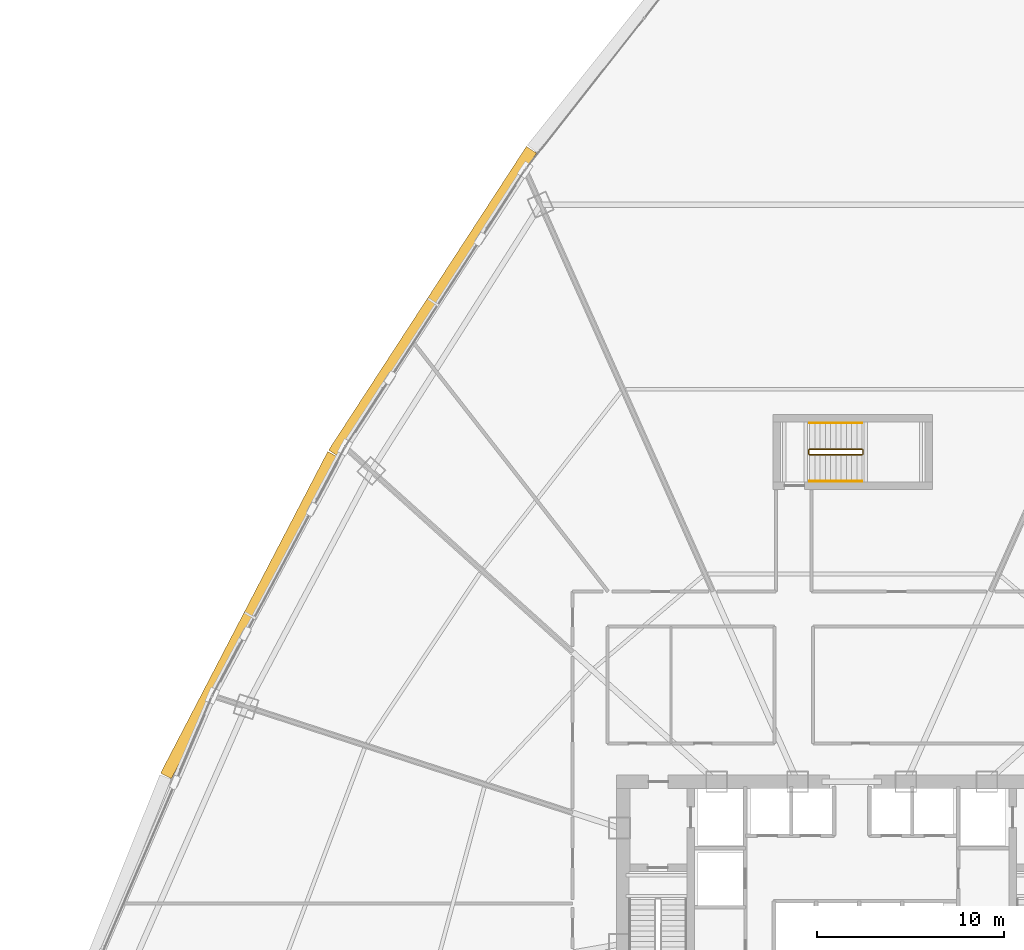
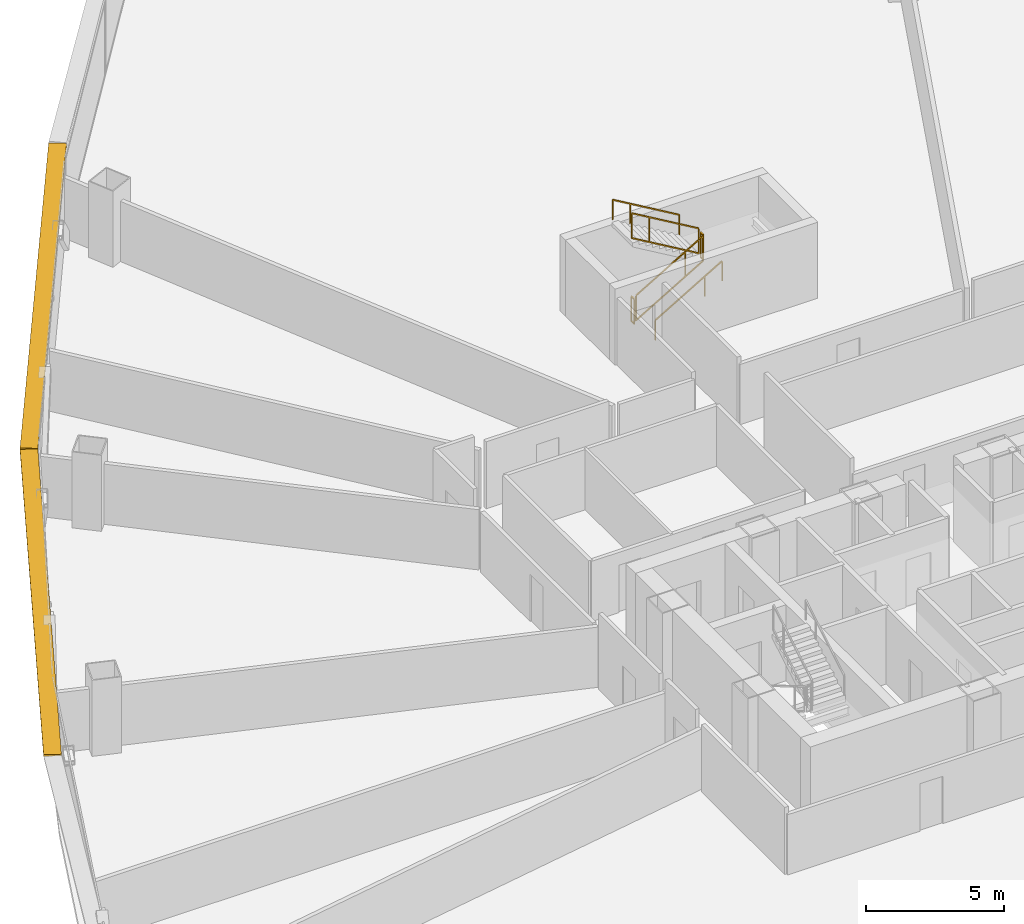
# One storey, part 37 of 38: 6 railings, 2 shading devices.
"""IFC4 building model written with IfcOpenShell, lengths in metres."""

from ifc_helpers import new_model, si_unit, direction, frame, origin, origin_2d, place, context, subcontext, project, spatial, rectangle, extrude, source, transform, mapped, material, layer, layer_set, type_object, element, save


model = new_model("IFC4")

# Units and contexts
model_context = context("Model", 3, precision=1e-05, world=origin(), true_north=direction((0.0, 1.0)))
body_context = subcontext(model_context, "Body", "Model", "MODEL_VIEW")
ifc_project = project(units=[si_unit("LENGTHUNIT", "METRE"), si_unit("AREAUNIT", "SQUARE_METRE"), si_unit("VOLUMEUNIT", "CUBIC_METRE"), si_unit("PLANEANGLEUNIT", "RADIAN"), si_unit("MASSUNIT", "GRAM", prefix="KILO"), si_unit("THERMODYNAMICTEMPERATUREUNIT", "KELVIN"), si_unit("POWERUNIT", "WATT")], contexts=[model_context])

# Site, building, storey
site_placement = place(None, origin())
site = spatial("IfcSite", under=ifc_project, at=site_placement, CompositionType="ELEMENT")
building_placement = place(site_placement, origin())
building = spatial("IfcBuilding", under=site, at=building_placement, Name="Yunzhuo Pagoda Commons", CompositionType="ELEMENT")
storey_placement = place(building_placement, frame((0.0, 0.0, 34.030029296875)))
storey = spatial("IfcBuildingStorey", under=building, at=storey_placement, Name="L08", CompositionType="ELEMENT", Elevation=34.030029296875)

# Railings
ifc_material = material(Name="Anodized aluminium 6063-T6", Category="aluminium")
railing_type_1 = type_object("IfcRailingType", Name="GR-ST3 North Well Guardrail 1155", PredefinedType="GUARDRAIL", material=ifc_material)
railing_1_placement = place(storey_placement, frame((45.75, 57.64990234375, 0.1650390625)))
element("IfcRailing", 1, at=railing_1_placement, inside=storey, type_object=railing_type_1, Name="L08 ST3 stair guard 1", PredefinedType="GUARDRAIL", context=body_context, shape_type="SweptSolid", body=[
    extrude(rectangle(XDim=0.048095703125, YDim=0.048095703125, at=origin_2d()), frame((0.0, 0.0, 1.1259765625), z_axis=(0.861555476484, 0.0, 0.507663432739), x_axis=(0.0, 1.0, 0.0)), (0.0, 0.0, 1.0), 3.25),
    extrude(rectangle(XDim=0.048095703125, YDim=0.048095703125, at=origin_2d()), frame((0.0, 0.0, 0.02392578125), z_axis=(0.861555476484, 0.0, 0.507663432739), x_axis=(0.0, 1.0, 0.0)), (0.0, 0.0, 1.0), 3.25),
    extrude(rectangle(XDim=0.0419921875, YDim=0.0419921875, at=origin_2d()), origin(), (0.0, 0.0, 1.0), 1.101806640625),
    extrude(rectangle(XDim=0.0419921875, YDim=0.0419921875, at=origin_2d()), frame((2.067626953125, 0.0, 1.218505859375)), (0.0, 0.0, 1.0), 1.101806640625),
    extrude(rectangle(XDim=0.0419921875, YDim=0.0419921875, at=origin_2d()), frame((2.800048828125, 0.0, 1.64990234375)), (0.0, 0.0, 1.0), 1.101806640625),
])
railing_2_placement = place(storey_placement, frame((48.60009765625, 57.699951171875, 1.81494140625)))
element("IfcRailing", 2, at=railing_2_placement, inside=storey, type_object=railing_type_1, Name="L08 ST3 stair guard 2", PredefinedType="GUARDRAIL", context=body_context, shape_type="SweptSolid", body=[
    extrude(rectangle(XDim=0.048095703125, YDim=0.048095703125, at=origin_2d()), frame((0.0, 0.0, 1.1259765625), z_axis=(0.0, 1.0, 0.0), x_axis=(-1.0, 0.0, 0.0)), (0.0, 0.0, 1.0), 0.199951171875),
    extrude(rectangle(XDim=0.048095703125, YDim=0.048095703125, at=origin_2d()), frame((0.0, 0.0, 0.02392578125), z_axis=(0.0, 1.0, 0.0), x_axis=(-1.0, 0.0, 0.0)), (0.0, 0.0, 1.0), 0.199951171875),
    extrude(rectangle(XDim=0.0419921875, YDim=0.0419921875, at=origin_2d()), origin(), (0.0, 0.0, 1.0), 1.101806640625),
    extrude(rectangle(XDim=0.0419921875, YDim=0.0419921875, at=origin_2d()), frame((0.0, 0.199951171875, 0.0)), (0.0, 0.0, 1.0), 1.101806640625),
])
railing_3_placement = place(storey_placement, frame((48.550048828125, 57.949951171875, 1.97998046875)))
element("IfcRailing", 3, at=railing_3_placement, inside=storey, type_object=railing_type_1, Name="L08 ST3 stair guard 3", PredefinedType="GUARDRAIL", context=body_context, shape_type="SweptSolid", body=[
    extrude(rectangle(XDim=0.048095703125, YDim=0.048095703125, at=origin_2d()), frame((0.0, 0.0, 1.1259765625), z_axis=(-0.861555476484, 0.0, 0.507663432739), x_axis=(0.0, -1.0, 0.0)), (0.0, 0.0, 1.0), 3.25),
    extrude(rectangle(XDim=0.048095703125, YDim=0.048095703125, at=origin_2d()), frame((0.0, 0.0, 0.02392578125), z_axis=(-0.861555476484, 0.0, 0.507663432739), x_axis=(0.0, -1.0, 0.0)), (0.0, 0.0, 1.0), 3.25),
    extrude(rectangle(XDim=0.0419921875, YDim=0.0419921875, at=origin_2d()), origin(), (0.0, 0.0, 1.0), 1.101806640625),
    extrude(rectangle(XDim=0.0419921875, YDim=0.0419921875, at=origin_2d()), frame((-2.067626953125, 0.0, 1.218505859375)), (0.0, 0.0, 1.0), 1.101806640625),
    extrude(rectangle(XDim=0.0419921875, YDim=0.0419921875, at=origin_2d()), frame((-2.800048828125, 0.0, 1.64990234375)), (0.0, 0.0, 1.0), 1.101806640625),
])
railing_4_placement = place(storey_placement, frame((45.699951171875, 57.699951171875, 0.0)))
element("IfcRailing", 4, at=railing_4_placement, inside=storey, type_object=railing_type_1, Name="L08 ST3 stair guard 4", PredefinedType="GUARDRAIL", context=body_context, shape_type="SweptSolid", body=[
    extrude(rectangle(XDim=0.048095703125, YDim=0.048095703125, at=origin_2d()), frame((0.0, 0.0, 1.1259765625), z_axis=(0.0, 1.0, 0.0), x_axis=(-1.0, 0.0, 0.0)), (0.0, 0.0, 1.0), 0.199951171875),
    extrude(rectangle(XDim=0.048095703125, YDim=0.048095703125, at=origin_2d()), frame((0.0, 0.0, 0.02392578125), z_axis=(0.0, 1.0, 0.0), x_axis=(-1.0, 0.0, 0.0)), (0.0, 0.0, 1.0), 0.199951171875),
    extrude(rectangle(XDim=0.0419921875, YDim=0.0419921875, at=origin_2d()), origin(), (0.0, 0.0, 1.0), 1.101806640625),
    extrude(rectangle(XDim=0.0419921875, YDim=0.0419921875, at=origin_2d()), frame((0.0, 0.199951171875, 0.0)), (0.0, 0.0, 1.0), 1.101806640625),
])
railing_type_2 = type_object("IfcRailingType", Name="HR-ST3 North Stair Handrail 900", PredefinedType="HANDRAIL", material=ifc_material)
railing_5_placement = place(storey_placement, frame((45.75, 56.25, 0.1650390625)))
element("IfcRailing", 5, at=railing_5_placement, inside=storey, type_object=railing_type_2, Name="L08 ST3 stair handrail 1", PredefinedType="HANDRAIL", context=body_context, shape_type="SweptSolid", body=[
    extrude(rectangle(XDim=0.048095703125, YDim=0.048095703125, at=origin_2d()), frame((0.0, 0.0, 0.8759765625), z_axis=(0.861555476484, 0.0, 0.507663432739), x_axis=(0.0, 1.0, 0.0)), (0.0, 0.0, 1.0), 3.25),
    extrude(rectangle(XDim=0.0419921875, YDim=0.0419921875, at=origin_2d()), origin(), (0.0, 0.0, 1.0), 0.851806640625),
    extrude(rectangle(XDim=0.0419921875, YDim=0.0419921875, at=origin_2d()), frame((2.067626953125, 0.0, 1.218505859375)), (0.0, 0.0, 1.0), 0.851806640625),
    extrude(rectangle(XDim=0.0419921875, YDim=0.0419921875, at=origin_2d()), frame((2.800048828125, 0.0, 1.64990234375)), (0.0, 0.0, 1.0), 0.851806640625),
])
railing_6_placement = place(storey_placement, frame((48.550048828125, 59.35009765625, 1.97998046875)))
element("IfcRailing", 6, at=railing_6_placement, inside=storey, type_object=railing_type_2, Name="L08 ST3 stair handrail 2", PredefinedType="HANDRAIL", context=body_context, shape_type="SweptSolid", body=[
    extrude(rectangle(XDim=0.048095703125, YDim=0.048095703125, at=origin_2d()), frame((0.0, 0.0, 0.8759765625), z_axis=(-0.861555476484, 0.0, 0.507663432739), x_axis=(0.0, -1.0, 0.0)), (0.0, 0.0, 1.0), 3.25),
    extrude(rectangle(XDim=0.0419921875, YDim=0.0419921875, at=origin_2d()), origin(), (0.0, 0.0, 1.0), 0.851806640625),
    extrude(rectangle(XDim=0.0419921875, YDim=0.0419921875, at=origin_2d()), frame((-2.067626953125, 0.0, 1.218505859375)), (0.0, 0.0, 1.0), 0.851806640625),
    extrude(rectangle(XDim=0.0419921875, YDim=0.0419921875, at=origin_2d()), frame((-2.800048828125, 0.0, 1.64990234375)), (0.0, 0.0, 1.0), 0.851806640625),
])

# Shading devices
ifc_layer = layer(ifc_material, 0.080078125)
ifc_layer_set = layer_set([ifc_layer], Name="Anodized aluminium 6063-T6")
shading_device_type = type_object("IfcShadingDeviceType", Name="SH-SUN1 Pagoda Horizontal Sunshade Eave 650", PredefinedType="USERDEFINED", material=ifc_layer_set)
shared_shape = source(origin(), body_context, "Body", "SweptSolid", [
    extrude(rectangle(XDim=19.345947265625, YDim=0.64990234375, at=origin_2d()), origin(), (0.0, 0.0, 1.0), 0.080078125),
])
for number, where, z_axis, x_axis, name in (
    (7, (25.621826171875, 65.834716796875, 3.2900390625), (0.0, 0.0, 1.0), (-0.545838756973, -0.837890238269, 0.0), "L08 horizontal pagoda sunshade eave F3.2"),
    (8, (15.8486328125, 49.09228515625, 3.2900390625), (0.0, 0.0, 1.0), (-0.461206683033, -0.88729273384, 0.0), "L08 horizontal pagoda sunshade eave F3.3"),
):
    element("IfcShadingDevice", number, at=place(storey_placement, frame(where, z_axis=z_axis, x_axis=x_axis)), inside=storey, type_object=shading_device_type, Name=name, ObjectType="SUNSHADE", PredefinedType="USERDEFINED", context=body_context, shape_type="MappedRepresentation", body=[
        mapped(shared_shape, transform((0.0, 0.0, 0.0), scale=1.0)),
    ])

save(model, "model.ifc")
